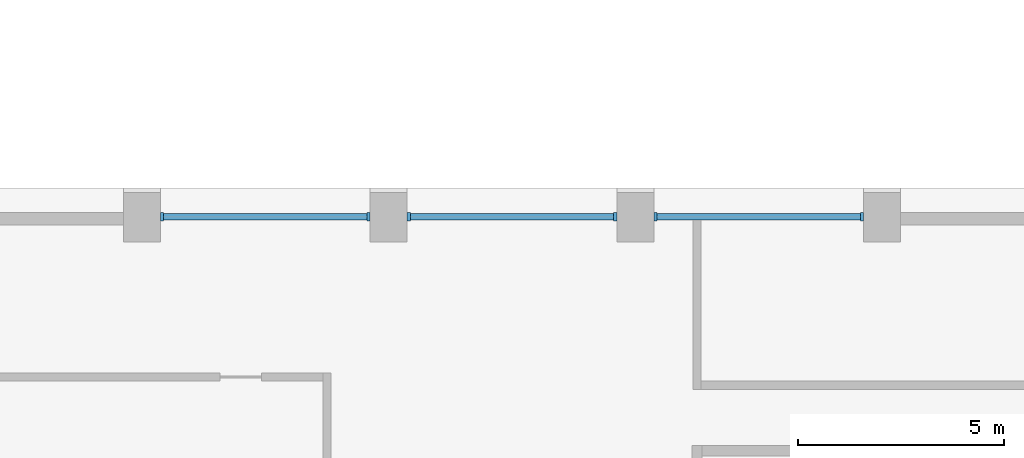
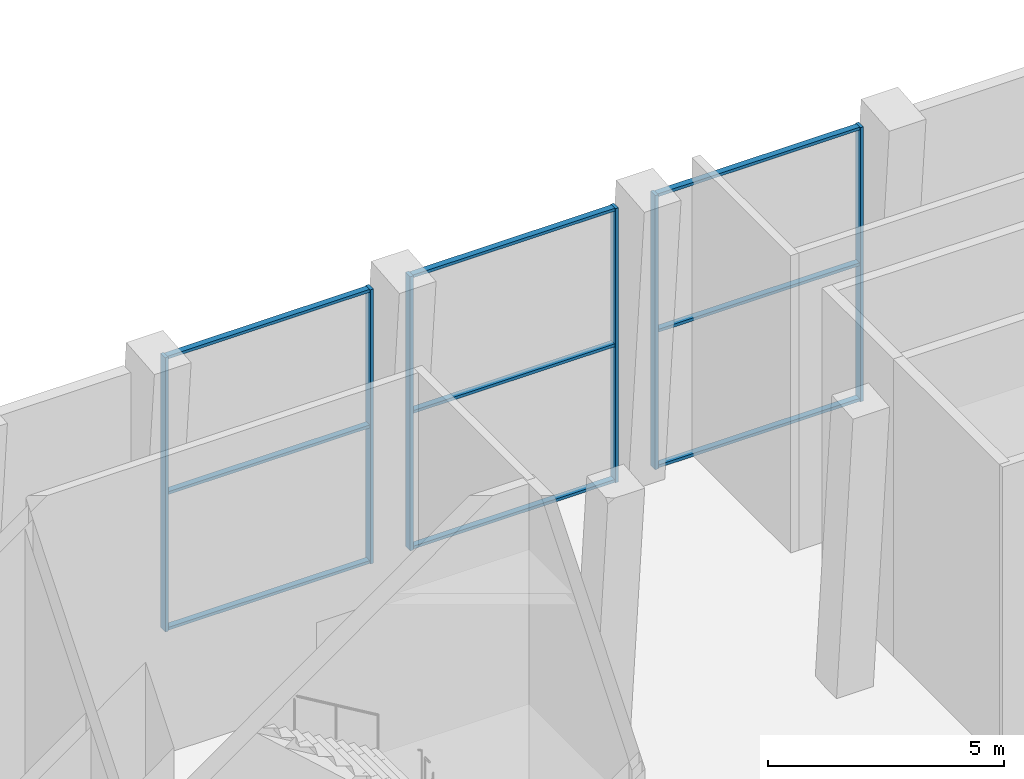
# One storey, part 7 of 24: 15 members, 3 elements without a shape of their own.
"""IFC4 building model written with IfcOpenShell, lengths in metres."""

from ifc_helpers import new_model, si_unit, direction, frame, origin, origin_2d, place, context, subcontext, project, spatial, rectangle, extrude, material, layer, layer_set, material_profile, profile_set, type_object, element, aggregate, save


model = new_model("IFC4")

# Units and contexts
model_context = context("Model", 3, precision=1e-05, world=origin(), true_north=direction((0.0, 1.0)))
body_context = subcontext(model_context, "Body", "Model", "MODEL_VIEW")
ifc_project = project(units=[si_unit("LENGTHUNIT", "METRE"), si_unit("AREAUNIT", "SQUARE_METRE"), si_unit("VOLUMEUNIT", "CUBIC_METRE"), si_unit("PLANEANGLEUNIT", "RADIAN"), si_unit("MASSUNIT", "GRAM", prefix="KILO")], contexts=[model_context])

# Site, building, storey
site_placement = place(None, origin())
site = spatial("IfcSite", under=ifc_project, at=site_placement, CompositionType="ELEMENT")
building_placement = place(site_placement, origin())
building = spatial("IfcBuilding", under=site, at=building_placement, Name="Corbelhall Arena Tower", CompositionType="ELEMENT")
storey_placement = place(building_placement, frame((0.0, 0.0, 60.0)))
storey = spatial("IfcBuildingStorey", under=building, at=storey_placement, Name="L08", CompositionType="ELEMENT", Elevation=60.0)

# Curtain wall, members
ifc_material = material(Name="Aluminium black anodised", Category="aluminium")
ifc_layer = layer(ifc_material, 0.260009765625)
ifc_layer_set = layer_set([ifc_layer], Name="EV-CW6 Ground lobby glazing")
curtain_wall_type = type_object("IfcCurtainWallType", Name="EV-CW6 Ground lobby glazing", PredefinedType="NOTDEFINED", material=ifc_layer_set)
curtain_wall_1_placement = place(storey_placement, origin())
curtain_wall_1 = element("IfcCurtainWall", 1, at=curtain_wall_1_placement, inside=storey, type_object=curtain_wall_type, Name="Curtain wall CW6", PredefinedType="NOTDEFINED")
ifc_material_profile_1 = material_profile(ifc_material, rectangle(XDim=0.199951171875, YDim=0.074951171875, at=origin_2d()))
ifc_profile_set_1 = profile_set([ifc_material_profile_1], Name="Aluminium black anodised")
member_type_1 = type_object("IfcMemberType", Name="EV-CW6-MULLION", PredefinedType="MULLION", material=ifc_profile_set_1)
member_1_placement = place(storey_placement, frame((8.512451171875, 25.39990234375, 0.0), z_axis=(0.0, 0.0, 1.0), x_axis=(0.0, -1.0, 0.0)))
member_1 = element("IfcMember", 2, at=member_1_placement, type_object=member_type_1, Name="CW6 mullion 1", PredefinedType="MULLION", context=body_context, shape_type="SweptSolid", body=[
    extrude(rectangle(XDim=0.199951171875, YDim=0.074951171875, at=origin_2d()), origin(), (0.0, 0.0, 1.0), 7.10009765625),
])
member_2_placement = place(storey_placement, frame((3.487548828125, 25.39990234375, 0.0), z_axis=(0.0, 0.0, 1.0), x_axis=(0.0, -1.0, 0.0)))
member_2 = element("IfcMember", 3, at=member_2_placement, type_object=member_type_1, Name="CW6 mullion 2", PredefinedType="MULLION", context=body_context, shape_type="SweptSolid", body=[
    extrude(rectangle(XDim=0.199951171875, YDim=0.074951171875, at=origin_2d()), origin(), (0.0, 0.0, 1.0), 7.10009765625),
])

curtain_wall_2_placement = place(storey_placement, origin())
curtain_wall_2 = element("IfcCurtainWall", 4, at=curtain_wall_2_placement, inside=storey, type_object=curtain_wall_type, Name="Curtain wall CW6", PredefinedType="NOTDEFINED")
member_3_placement = place(storey_placement, frame((2.512451171875, 25.39990234375, 0.0), z_axis=(0.0, 0.0, 1.0), x_axis=(0.0, -1.0, 0.0)))
member_3 = element("IfcMember", 5, at=member_3_placement, type_object=member_type_1, Name="CW6 mullion 1", PredefinedType="MULLION", context=body_context, shape_type="SweptSolid", body=[
    extrude(rectangle(XDim=0.199951171875, YDim=0.074951171875, at=origin_2d()), origin(), (0.0, 0.0, 1.0), 7.10009765625),
])
member_4_placement = place(storey_placement, frame((-2.512451171875, 25.39990234375, 0.0), z_axis=(0.0, 0.0, 1.0), x_axis=(0.0, -1.0, 0.0)))
member_4 = element("IfcMember", 6, at=member_4_placement, type_object=member_type_1, Name="CW6 mullion 2", PredefinedType="MULLION", context=body_context, shape_type="SweptSolid", body=[
    extrude(rectangle(XDim=0.199951171875, YDim=0.074951171875, at=origin_2d()), origin(), (0.0, 0.0, 1.0), 7.10009765625),
])

curtain_wall_3_placement = place(storey_placement, origin())
curtain_wall_3 = element("IfcCurtainWall", 7, at=curtain_wall_3_placement, inside=storey, type_object=curtain_wall_type, Name="Curtain wall CW6", PredefinedType="NOTDEFINED")
member_5_placement = place(storey_placement, frame((-3.487548828125, 25.39990234375, 0.0), z_axis=(0.0, 0.0, 1.0), x_axis=(0.0, -1.0, 0.0)))
member_5 = element("IfcMember", 8, at=member_5_placement, type_object=member_type_1, Name="CW6 mullion 1", PredefinedType="MULLION", context=body_context, shape_type="SweptSolid", body=[
    extrude(rectangle(XDim=0.199951171875, YDim=0.074951171875, at=origin_2d()), origin(), (0.0, 0.0, 1.0), 7.10009765625),
])
member_6_placement = place(storey_placement, frame((-8.512451171875, 25.39990234375, 0.0), z_axis=(0.0, 0.0, 1.0), x_axis=(0.0, -1.0, 0.0)))
member_6 = element("IfcMember", 9, at=member_6_placement, type_object=member_type_1, Name="CW6 mullion 2", PredefinedType="MULLION", context=body_context, shape_type="SweptSolid", body=[
    extrude(rectangle(XDim=0.199951171875, YDim=0.074951171875, at=origin_2d()), origin(), (0.0, 0.0, 1.0), 7.10009765625),
])

# Member
ifc_material_profile_2 = material_profile(ifc_material, rectangle(XDim=0.14990234375, YDim=0.074951171875, at=origin_2d()))
ifc_profile_set_2 = profile_set([ifc_material_profile_2], Name="Aluminium black anodised")
member_type_2 = type_object("IfcMemberType", Name="EV-CW6-TRANSOM", PredefinedType="USERDEFINED", material=ifc_profile_set_2)
member_7_placement = place(storey_placement, frame((8.47509765625, 25.39990234375, 0.03759765625), z_axis=(-1.0, 0.0, 0.0), x_axis=(0.0, -1.0, 0.0)))
member_7 = element("IfcMember", 10, at=member_7_placement, type_object=member_type_2, Name="CW6 transom 1.1", ObjectType="transom", PredefinedType="USERDEFINED", context=body_context, shape_type="SweptSolid", body=[
    extrude(rectangle(XDim=0.14990234375, YDim=0.074951171875, at=origin_2d()), origin(), (0.0, 0.0, 1.0), 4.9501953125),
])

member_8_placement = place(storey_placement, frame((8.47509765625, 25.39990234375, 3.550048828125), z_axis=(-1.0, 0.0, 0.0), x_axis=(0.0, -1.0, 0.0)))
member_8 = element("IfcMember", 11, at=member_8_placement, type_object=member_type_2, Name="CW6 transom 1.2", ObjectType="transom", PredefinedType="USERDEFINED", context=body_context, shape_type="SweptSolid", body=[
    extrude(rectangle(XDim=0.14990234375, YDim=0.074951171875, at=origin_2d()), origin(), (0.0, 0.0, 1.0), 4.9501953125),
])

member_9_placement = place(storey_placement, frame((8.47509765625, 25.39990234375, 7.0625), z_axis=(-1.0, 0.0, 0.0), x_axis=(0.0, -1.0, 0.0)))
member_9 = element("IfcMember", 12, at=member_9_placement, type_object=member_type_2, Name="CW6 transom 1.3", ObjectType="transom", PredefinedType="USERDEFINED", context=body_context, shape_type="SweptSolid", body=[
    extrude(rectangle(XDim=0.14990234375, YDim=0.074951171875, at=origin_2d()), origin(), (0.0, 0.0, 1.0), 4.9501953125),
])

aggregate(curtain_wall_1, [member_1, member_2, member_7, member_8, member_9])

member_10_placement = place(storey_placement, frame((2.47509765625, 25.39990234375, 0.03759765625), z_axis=(-1.0, 0.0, 0.0), x_axis=(0.0, -1.0, 0.0)))
member_10 = element("IfcMember", 13, at=member_10_placement, type_object=member_type_2, Name="CW6 transom 1.1", ObjectType="transom", PredefinedType="USERDEFINED", context=body_context, shape_type="SweptSolid", body=[
    extrude(rectangle(XDim=0.14990234375, YDim=0.074951171875, at=origin_2d()), origin(), (0.0, 0.0, 1.0), 4.9501953125),
])

member_11_placement = place(storey_placement, frame((2.47509765625, 25.39990234375, 3.550048828125), z_axis=(-1.0, 0.0, 0.0), x_axis=(0.0, -1.0, 0.0)))
member_11 = element("IfcMember", 14, at=member_11_placement, type_object=member_type_2, Name="CW6 transom 1.2", ObjectType="transom", PredefinedType="USERDEFINED", context=body_context, shape_type="SweptSolid", body=[
    extrude(rectangle(XDim=0.14990234375, YDim=0.074951171875, at=origin_2d()), origin(), (0.0, 0.0, 1.0), 4.9501953125),
])

member_12_placement = place(storey_placement, frame((2.47509765625, 25.39990234375, 7.0625), z_axis=(-1.0, 0.0, 0.0), x_axis=(0.0, -1.0, 0.0)))
member_12 = element("IfcMember", 15, at=member_12_placement, type_object=member_type_2, Name="CW6 transom 1.3", ObjectType="transom", PredefinedType="USERDEFINED", context=body_context, shape_type="SweptSolid", body=[
    extrude(rectangle(XDim=0.14990234375, YDim=0.074951171875, at=origin_2d()), origin(), (0.0, 0.0, 1.0), 4.9501953125),
])

aggregate(curtain_wall_2, [member_3, member_4, member_10, member_11, member_12])

member_13_placement = place(storey_placement, frame((-3.52490234375, 25.39990234375, 0.03759765625), z_axis=(-1.0, 0.0, 0.0), x_axis=(0.0, -1.0, 0.0)))
member_13 = element("IfcMember", 16, at=member_13_placement, type_object=member_type_2, Name="CW6 transom 1.1", ObjectType="transom", PredefinedType="USERDEFINED", context=body_context, shape_type="SweptSolid", body=[
    extrude(rectangle(XDim=0.14990234375, YDim=0.074951171875, at=origin_2d()), origin(), (0.0, 0.0, 1.0), 4.9501953125),
])

member_14_placement = place(storey_placement, frame((-3.52490234375, 25.39990234375, 3.550048828125), z_axis=(-1.0, 0.0, 0.0), x_axis=(0.0, -1.0, 0.0)))
member_14 = element("IfcMember", 17, at=member_14_placement, type_object=member_type_2, Name="CW6 transom 1.2", ObjectType="transom", PredefinedType="USERDEFINED", context=body_context, shape_type="SweptSolid", body=[
    extrude(rectangle(XDim=0.14990234375, YDim=0.074951171875, at=origin_2d()), origin(), (0.0, 0.0, 1.0), 4.9501953125),
])

member_15_placement = place(storey_placement, frame((-3.52490234375, 25.39990234375, 7.0625), z_axis=(-1.0, 0.0, 0.0), x_axis=(0.0, -1.0, 0.0)))
member_15 = element("IfcMember", 18, at=member_15_placement, type_object=member_type_2, Name="CW6 transom 1.3", ObjectType="transom", PredefinedType="USERDEFINED", context=body_context, shape_type="SweptSolid", body=[
    extrude(rectangle(XDim=0.14990234375, YDim=0.074951171875, at=origin_2d()), origin(), (0.0, 0.0, 1.0), 4.9501953125),
])

aggregate(curtain_wall_3, [member_5, member_6, member_13, member_14, member_15])

save(model, "model.ifc")
